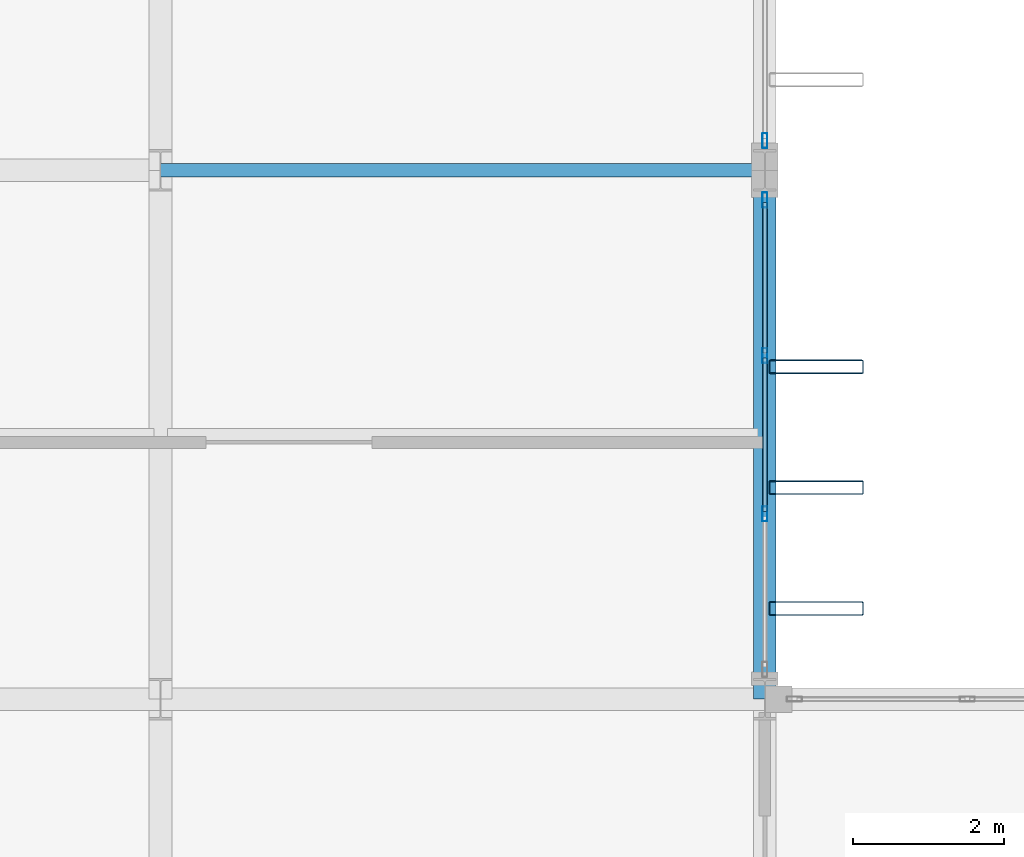
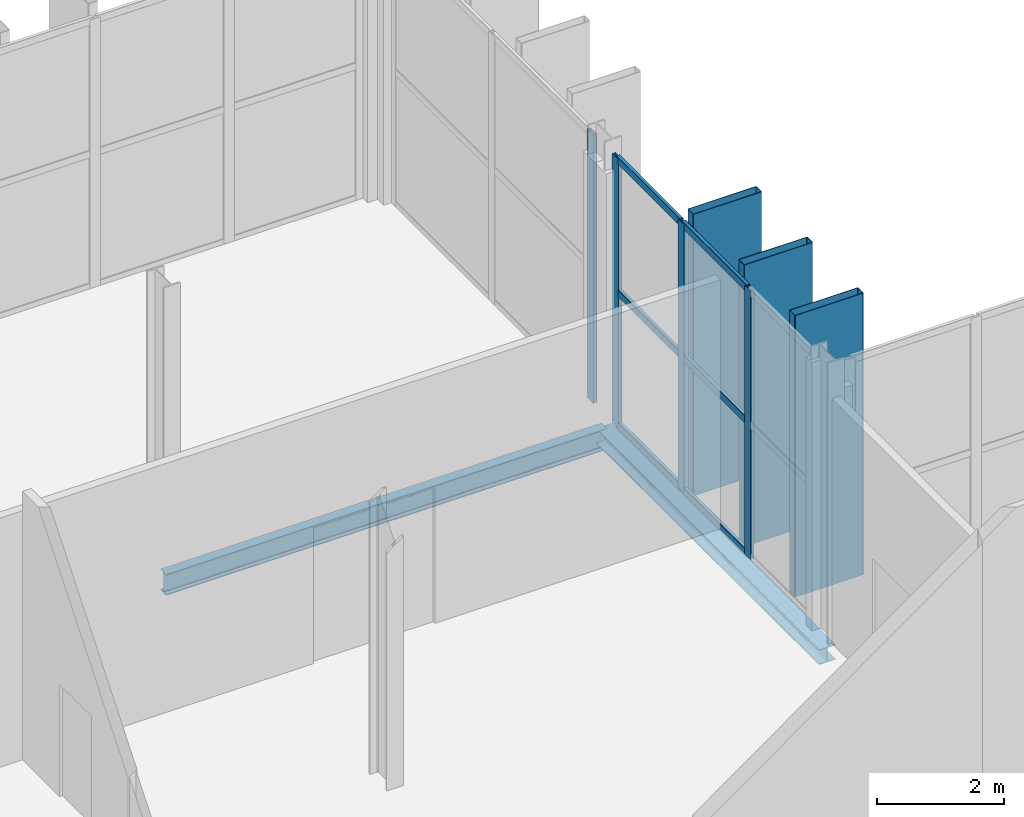
# One storey, part 62 of 147: 13 members, 2 beams, 2 elements without a shape of their own.
"""IFC4 building model written with IfcOpenShell, lengths in metres."""

from ifc_helpers import new_model, si_unit, direction, frame, origin, origin_2d, place, context, subcontext, project, spatial, hollow_rectangle, i_section, extrude, material, layer, layer_set, material_profile, profile_set, type_object, element, aggregate, save


model = new_model("IFC4")

# Units and contexts
model_context = context("Model", 3, precision=1e-05, world=origin(), true_north=direction((0.0, 1.0)))
body_context = subcontext(model_context, "Body", "Model", "MODEL_VIEW")
ifc_project = project(units=[si_unit("LENGTHUNIT", "METRE"), si_unit("AREAUNIT", "SQUARE_METRE"), si_unit("VOLUMEUNIT", "CUBIC_METRE"), si_unit("PLANEANGLEUNIT", "RADIAN"), si_unit("MASSUNIT", "GRAM", prefix="KILO")], contexts=[model_context])

# Site, building, storey
site_placement = place(None, origin())
site = spatial("IfcSite", under=ifc_project, at=site_placement, CompositionType="ELEMENT")
building_placement = place(site_placement, origin())
building = spatial("IfcBuilding", under=site, at=building_placement, Name="Vekula Escarpment Museum", CompositionType="ELEMENT")
storey_placement = place(building_placement, frame((0.0, 0.0, 7.800048828125)))
storey = spatial("IfcBuildingStorey", under=building, at=storey_placement, Name="L02", CompositionType="ELEMENT", Elevation=7.800048828125)

# Beams
ifc_material_1 = material(Name="Steel S355", Category="steel")
ifc_material_profile_1 = material_profile(ifc_material_1, i_section(OverallWidth=0.179931640625, OverallDepth=0.39990234375, WebThickness=0.008544921875, FlangeThickness=0.013427734375, FilletRadius=0.02099609375, at=origin_2d()), Name="IPE 400")
ifc_profile_set_1 = profile_set([ifc_material_profile_1], Name="Steel S355")
beam_type_1 = type_object("IfcBeamType", Name="BM-GIRD-IPE400", PredefinedType="BEAM", material=ifc_profile_set_1)
beam_1_placement = place(storey_placement, frame((118.0, 83.39990234375, -0.4599609375), z_axis=(1.0, 0.0, 0.0), x_axis=(0.0, 1.0, 0.0)))
element("IfcBeam", 1, at=beam_1_placement, inside=storey, type_object=beam_type_1, Name="Beam X L02 0946", PredefinedType="BEAM", context=body_context, shape_type="SweptSolid", body=[
    extrude(i_section(OverallWidth=0.179931640625, OverallDepth=0.39990234375, WebThickness=0.008544921875, FlangeThickness=0.013427734375, FilletRadius=0.02099609375, at=origin_2d()), origin(), (0.0, 0.0, 1.0), 8.0),
])
ifc_material_2 = material(Name="Steel S355", Category="steel")
ifc_material_profile_2 = material_profile(ifc_material_2, i_section(OverallWidth=0.300048828125, OverallDepth=0.2900390625, WebThickness=0.008544921875, FlangeThickness=0.013916015625, FilletRadius=0.027099609375, at=origin_2d()), Name="HEA 300")
ifc_profile_set_2 = profile_set([ifc_material_profile_2], Name="Steel S355")
beam_type_2 = type_object("IfcBeamType", Name="BM-SPAN-HEA300", PredefinedType="SPANDREL", material=ifc_profile_set_2)
beam_2_placement = place(storey_placement, frame((126.0, 76.39990234375, -0.405029296875), z_axis=(0.0, 1.0, 0.0), x_axis=(-1.0, 0.0, 0.0)))
element("IfcBeam", 2, at=beam_2_placement, inside=storey, type_object=beam_type_2, Name="Beam Y L02 1206", PredefinedType="SPANDREL", context=body_context, shape_type="SweptSolid", body=[
    extrude(i_section(OverallWidth=0.300048828125, OverallDepth=0.2900390625, WebThickness=0.008544921875, FlangeThickness=0.013916015625, FilletRadius=0.027099609375, at=origin_2d()), origin(), (0.0, 0.0, 1.0), 7.0),
])

# Curtain wall, members
ifc_material_3 = material(Name="Aluminium thermally broken framing", Category="aluminium")
ifc_layer_1 = layer(ifc_material_3, 0.199951171875)
ifc_layer_set_1 = layer_set([ifc_layer_1], Name="Aluminium thermally broken framing")
curtain_wall_type_1 = type_object("IfcCurtainWallType", Name="CW-SYS-04", PredefinedType="NOTDEFINED", material=ifc_layer_set_1)
curtain_wall_1_placement = place(storey_placement, origin())
curtain_wall_1 = element("IfcCurtainWall", 3, at=curtain_wall_1_placement, inside=storey, type_object=curtain_wall_type_1, Name="Curtain Wall CW-L02-074", PredefinedType="NOTDEFINED")
ifc_material_4 = material(Name="Aluminium anodized mullion", Category="aluminium")
ifc_material_profile_3 = material_profile(ifc_material_4, hollow_rectangle(XDim=0.06494140625, YDim=0.199951171875, WallThickness=0.00390625, InnerFilletRadius=0.00390625, OuterFilletRadius=0.008056640625, at=origin_2d()), Name="ALU 200x65x4")
ifc_profile_set_3 = profile_set([ifc_material_profile_3], Name="Aluminium anodized mullion")
member_type_1 = type_object("IfcMemberType", Name="CW-MUL-200", PredefinedType="MULLION", material=ifc_profile_set_3)
member_1_placement = place(storey_placement, frame((126.0, 78.853271484375, 0.0), z_axis=(0.0, 0.0, 1.0), x_axis=(-1.0, 0.0, 0.0)))
member_1 = element("IfcMember", 4, at=member_1_placement, type_object=member_type_1, Name="CW-04 mullion 2", PredefinedType="MULLION", context=body_context, shape_type="SweptSolid", body=[
    extrude(hollow_rectangle(XDim=0.06494140625, YDim=0.199951171875, WallThickness=0.00390625, InnerFilletRadius=0.00390625, OuterFilletRadius=0.008056640625, at=origin_2d()), origin(), (0.0, 0.0, 1.0), 5.14990234375),
])
member_2_placement = place(storey_placement, frame((126.0, 80.94677734375, 0.0), z_axis=(0.0, 0.0, 1.0), x_axis=(-1.0, 0.0, 0.0)))
member_2 = element("IfcMember", 5, at=member_2_placement, type_object=member_type_1, Name="CW-04 mullion 3", PredefinedType="MULLION", context=body_context, shape_type="SweptSolid", body=[
    extrude(hollow_rectangle(XDim=0.06494140625, YDim=0.199951171875, WallThickness=0.00390625, InnerFilletRadius=0.00390625, OuterFilletRadius=0.008056640625, at=origin_2d()), origin(), (0.0, 0.0, 1.0), 5.14990234375),
])
member_3_placement = place(storey_placement, frame((126.0, 83.007568359375, 0.0), z_axis=(0.0, 0.0, 1.0), x_axis=(-1.0, 0.0, 0.0)))
member_3 = element("IfcMember", 6, at=member_3_placement, type_object=member_type_1, Name="CW-04 mullion 4", PredefinedType="MULLION", context=body_context, shape_type="SweptSolid", body=[
    extrude(hollow_rectangle(XDim=0.06494140625, YDim=0.199951171875, WallThickness=0.00390625, InnerFilletRadius=0.00390625, OuterFilletRadius=0.008056640625, at=origin_2d()), origin(), (0.0, 0.0, 1.0), 5.14990234375),
])

# Curtain wall, member
ifc_material_5 = material(Name="Aluminium thermally broken framing", Category="aluminium")
ifc_layer_2 = layer(ifc_material_5, 0.159912109375)
ifc_layer_set_2 = layer_set([ifc_layer_2], Name="Aluminium thermally broken framing")
curtain_wall_type_2 = type_object("IfcCurtainWallType", Name="CW-SYS-05", PredefinedType="NOTDEFINED", material=ifc_layer_set_2)
curtain_wall_2_placement = place(storey_placement, origin())
curtain_wall_2 = element("IfcCurtainWall", 7, at=curtain_wall_2_placement, inside=storey, type_object=curtain_wall_type_2, Name="Curtain Wall CW-L02-075", PredefinedType="NOTDEFINED")
member_4_placement = place(storey_placement, frame((126.0, 83.79248046875, 0.0), z_axis=(0.0, 0.0, 1.0), x_axis=(-1.0, 0.0, 0.0)))
member_4 = element("IfcMember", 8, at=member_4_placement, type_object=member_type_1, Name="CW-05 mullion 1", PredefinedType="MULLION", context=body_context, shape_type="SweptSolid", body=[
    extrude(hollow_rectangle(XDim=0.06494140625, YDim=0.199951171875, WallThickness=0.00390625, InnerFilletRadius=0.00390625, OuterFilletRadius=0.008056640625, at=origin_2d()), origin(), (0.0, 0.0, 1.0), 5.14990234375),
])
aggregate(curtain_wall_2, [member_4])

# Member
ifc_material_6 = material(Name="Aluminium anodized transom", Category="aluminium")
ifc_material_profile_4 = material_profile(ifc_material_6, hollow_rectangle(XDim=0.06494140625, YDim=0.139892578125, WallThickness=0.00390625, InnerFilletRadius=0.00390625, OuterFilletRadius=0.008056640625, at=origin_2d()), Name="ALU 140x65x4")
ifc_profile_set_4 = profile_set([ifc_material_profile_4], Name="Aluminium anodized transom")
member_type_2 = type_object("IfcMemberType", Name="CW-TRN-140", PredefinedType="USERDEFINED", material=ifc_profile_set_4)
member_5_placement = place(storey_placement, frame((126.0, 78.8857421875, 0.032470703125), z_axis=(0.0, 1.0, 0.0), x_axis=(-1.0, 0.0, 0.0)))
member_5 = element("IfcMember", 9, at=member_5_placement, type_object=member_type_2, Name="CW-04 transom 2.1", ObjectType="TRANSOM", PredefinedType="USERDEFINED", context=body_context, shape_type="SweptSolid", body=[
    extrude(hollow_rectangle(XDim=0.06494140625, YDim=0.139892578125, WallThickness=0.00390625, InnerFilletRadius=0.00390625, OuterFilletRadius=0.008056640625, at=origin_2d()), origin(), (0.0, 0.0, 1.0), 2.0283203125),
])

member_6_placement = place(storey_placement, frame((126.0, 78.8857421875, 2.574951171875), z_axis=(0.0, 1.0, 0.0), x_axis=(-1.0, 0.0, 0.0)))
member_6 = element("IfcMember", 10, at=member_6_placement, type_object=member_type_2, Name="CW-04 transom 2.2", ObjectType="TRANSOM", PredefinedType="USERDEFINED", context=body_context, shape_type="SweptSolid", body=[
    extrude(hollow_rectangle(XDim=0.06494140625, YDim=0.139892578125, WallThickness=0.00390625, InnerFilletRadius=0.00390625, OuterFilletRadius=0.008056640625, at=origin_2d()), origin(), (0.0, 0.0, 1.0), 2.0283203125),
])

member_7_placement = place(storey_placement, frame((126.0, 78.8857421875, 5.117431640625), z_axis=(0.0, 1.0, 0.0), x_axis=(-1.0, 0.0, 0.0)))
member_7 = element("IfcMember", 11, at=member_7_placement, type_object=member_type_2, Name="CW-04 transom 2.3", ObjectType="TRANSOM", PredefinedType="USERDEFINED", context=body_context, shape_type="SweptSolid", body=[
    extrude(hollow_rectangle(XDim=0.06494140625, YDim=0.139892578125, WallThickness=0.00390625, InnerFilletRadius=0.00390625, OuterFilletRadius=0.008056640625, at=origin_2d()), origin(), (0.0, 0.0, 1.0), 2.0283203125),
])

member_8_placement = place(storey_placement, frame((126.0, 80.979248046875, 0.032470703125), z_axis=(0.0, 1.0, 0.0), x_axis=(-1.0, 0.0, 0.0)))
member_8 = element("IfcMember", 12, at=member_8_placement, type_object=member_type_2, Name="CW-04 transom 3.1", ObjectType="TRANSOM", PredefinedType="USERDEFINED", context=body_context, shape_type="SweptSolid", body=[
    extrude(hollow_rectangle(XDim=0.06494140625, YDim=0.139892578125, WallThickness=0.00390625, InnerFilletRadius=0.00390625, OuterFilletRadius=0.008056640625, at=origin_2d()), origin(), (0.0, 0.0, 1.0), 1.995849609375),
])

member_9_placement = place(storey_placement, frame((126.0, 80.979248046875, 2.574951171875), z_axis=(0.0, 1.0, 0.0), x_axis=(-1.0, 0.0, 0.0)))
member_9 = element("IfcMember", 13, at=member_9_placement, type_object=member_type_2, Name="CW-04 transom 3.2", ObjectType="TRANSOM", PredefinedType="USERDEFINED", context=body_context, shape_type="SweptSolid", body=[
    extrude(hollow_rectangle(XDim=0.06494140625, YDim=0.139892578125, WallThickness=0.00390625, InnerFilletRadius=0.00390625, OuterFilletRadius=0.008056640625, at=origin_2d()), origin(), (0.0, 0.0, 1.0), 1.995849609375),
])

member_10_placement = place(storey_placement, frame((126.0, 80.979248046875, 5.117431640625), z_axis=(0.0, 1.0, 0.0), x_axis=(-1.0, 0.0, 0.0)))
member_10 = element("IfcMember", 14, at=member_10_placement, type_object=member_type_2, Name="CW-04 transom 3.3", ObjectType="TRANSOM", PredefinedType="USERDEFINED", context=body_context, shape_type="SweptSolid", body=[
    extrude(hollow_rectangle(XDim=0.06494140625, YDim=0.139892578125, WallThickness=0.00390625, InnerFilletRadius=0.00390625, OuterFilletRadius=0.008056640625, at=origin_2d()), origin(), (0.0, 0.0, 1.0), 1.995849609375),
])

aggregate(curtain_wall_1, [member_1, member_2, member_3, member_5, member_6, member_7, member_8, member_9, member_10])

# Members
ifc_material_7 = material(Name="Steel S355 weathered bronze solar fin", Category="steel")
ifc_material_profile_5 = material_profile(ifc_material_7, hollow_rectangle(XDim=0.179931640625, YDim=1.25, WallThickness=0.010009765625, InnerFilletRadius=0.010009765625, OuterFilletRadius=0.02001953125, at=origin_2d()), Name="RHS 1250x180x10")
ifc_profile_set_5 = profile_set([ifc_material_profile_5], Name="Steel S355 weathered bronze solar fin")
member_type_3 = type_object("IfcMemberType", Name="MB-SOLAR-FIN", PredefinedType="USERDEFINED", material=ifc_profile_set_5)
for number, where, z_axis, x_axis, name in (
    (15, (126.679931640625, 77.60009765625, 0.0), (0.0, 0.0, 1.0), (0.0, 1.0, 0.0), "Great Hall Vertical Solar Fin 0387"),
    (16, (126.679931640625, 79.199951171875, 0.0), (0.0, 0.0, 1.0), (0.0, 1.0, 0.0), "Great Hall Vertical Solar Fin 0392"),
    (17, (126.679931640625, 80.800048828125, 0.0), (0.0, 0.0, 1.0), (0.0, 1.0, 0.0), "Great Hall Vertical Solar Fin 0397"),
):
    element("IfcMember", number, at=place(storey_placement, frame(where, z_axis=z_axis, x_axis=x_axis)), inside=storey, type_object=member_type_3, Name=name, ObjectType="SOLAR FIN", PredefinedType="USERDEFINED", context=body_context, shape_type="SweptSolid", body=[
        extrude(hollow_rectangle(XDim=0.179931640625, YDim=1.25, WallThickness=0.010009765625, InnerFilletRadius=0.010009765625, OuterFilletRadius=0.02001953125, at=origin_2d()), origin(), (0.0, 0.0, 1.0), 5.39990234375),
    ])

save(model, "model.ifc")
